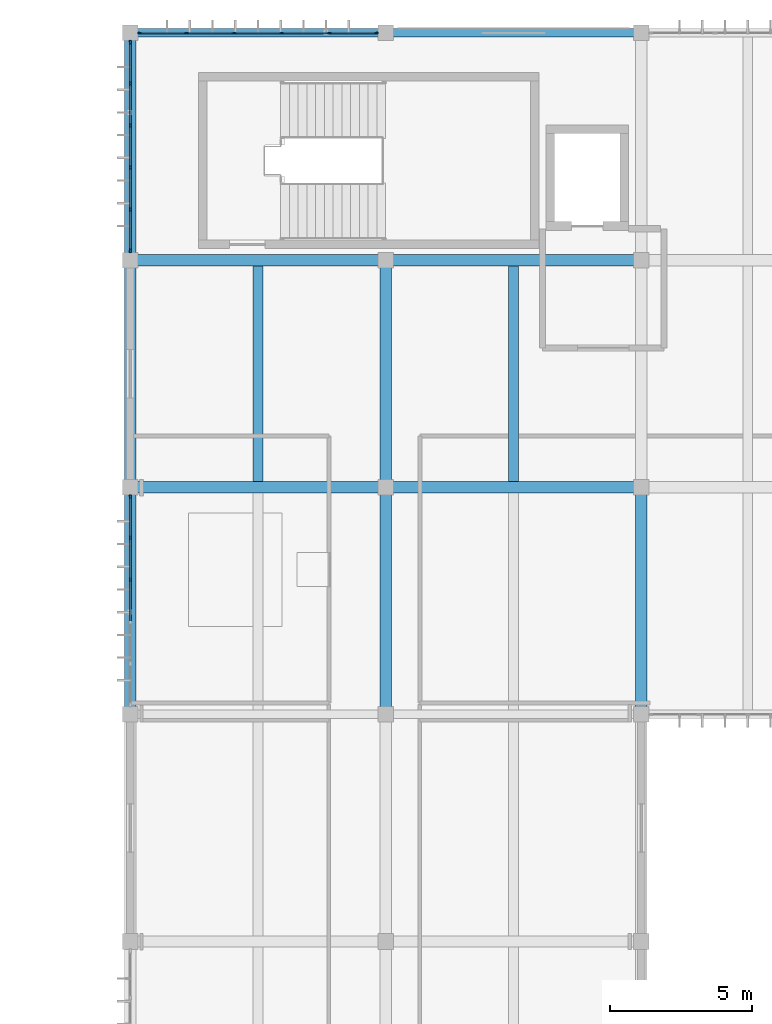
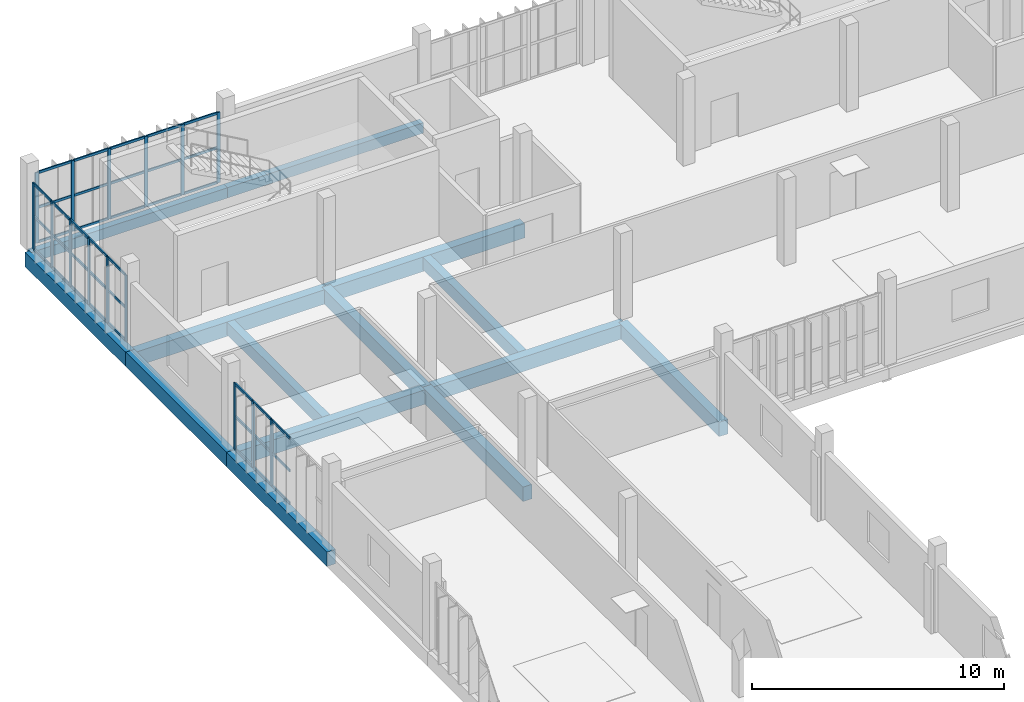
# One storey, part 11 of 61: 54 members, 14 beams, 3 elements without a shape of their own.
"""IFC4 building model written with IfcOpenShell, lengths in metres."""

import ifcopenshell
import ifcopenshell.guid

model = None  # the IFC model being written
_history = None  # IfcOwnerHistory: only IFC2X3 demands one
_inside = {}  # id of a spatial element -> (the spatial element, [elements in it])
_under = {}  # id of a project, library or spatial element -> (it, [spatial elements below it])
_declared = {}  # id of a project -> (the project, [libraries it declares])
_typed = {}  # id of a type object -> (the type object, [elements of that type])
_made_of = {}  # id of a material, layer set ... -> (it, [elements and type objects made of it])


def new_model(schema):
    """Start an empty IFC model of exactly this schema.

    Asked for "IFC4X3", IfcOpenShell would pick the latest addendum, in which some entities
    have other attributes; the version numbers below select the first issue.
    IFC2X3 requires an IfcOwnerHistory on every rooted entity: one is made here for all.
    """
    global model, _history
    if schema == "IFC4X3":
        model = ifcopenshell.file(schema_version=(4, 3, 0, 0))
    else:
        model = ifcopenshell.file(schema=schema)
    _inside.clear()
    _under.clear()
    _declared.clear()
    _typed.clear()
    _made_of.clear()
    _history = None
    if model.schema == "IFC2X3":
        org = make("IfcOrganization", Name="unknown")
        user = make(
            "IfcPersonAndOrganization",
            ThePerson=make("IfcPerson", FamilyName="unknown"),
            TheOrganization=org,
        )
        app = make(
            "IfcApplication",
            ApplicationDeveloper=org,
            Version="unknown",
            ApplicationFullName="unknown",
            ApplicationIdentifier="unknown",
        )
        _history = make(
            "IfcOwnerHistory",
            OwningUser=user,
            OwningApplication=app,
            ChangeAction="ADDED",
            CreationDate=0,
        )
    return model


def make(cls, **values):
    """One entity of the class cls with the attributes given. An attribute that is None is left unset."""
    return model.create_entity(
        cls, **{name: value for name, value in values.items() if value is not None}
    )


def rooted(cls, **values):
    """An entity with a GlobalId (a new one), such as an element, a storey or a relation."""
    return make(cls, GlobalId=ifcopenshell.guid.new(), OwnerHistory=_history, **values)


def si_unit(unit_type, name, prefix=None):
    """IfcSIUnit, for example si_unit("LENGTHUNIT", "METRE", prefix="MILLI")."""
    return make("IfcSIUnit", UnitType=unit_type, Prefix=prefix, Name=name)


def assignment(units):
    """IfcUnitAssignment: the units of a project."""
    return None if units is None else make("IfcUnitAssignment", Units=units)


def point(xyz):
    """IfcCartesianPoint."""
    return None if xyz is None else make("IfcCartesianPoint", Coordinates=xyz)


def direction(xyz):
    """IfcDirection."""
    return None if xyz is None else make("IfcDirection", DirectionRatios=xyz)


def frame(location, z_axis=None, x_axis=None):
    """IfcAxis2Placement3D, a coordinate frame: its origin and axes. An axis left out is left unset."""
    return make(
        "IfcAxis2Placement3D",
        Location=point(location),
        Axis=direction(z_axis),
        RefDirection=direction(x_axis),
    )


def frame_2d(location, x_axis=None):
    """IfcAxis2Placement2D, a coordinate frame in the plane: its origin and x axis."""
    return make(
        "IfcAxis2Placement2D", Location=point(location), RefDirection=direction(x_axis)
    )


def origin():
    """The frame at (0, 0, 0) with its axes left unset."""
    return frame((0.0, 0.0, 0.0))


def origin_2d():
    """The frame at (0, 0) in the plane with its x axis left unset."""
    return frame_2d((0.0, 0.0))


def place(relative_to, where):
    """IfcLocalPlacement: puts the frame where relative to a parent placement (None: the world)."""
    return make(
        "IfcLocalPlacement", PlacementRelTo=relative_to, RelativePlacement=where
    )


def context(
    kind, dimensions, precision=None, world=None, true_north=None, identifier=None
):
    """IfcGeometricRepresentationContext, for example the 3D "Model" context."""
    return make(
        "IfcGeometricRepresentationContext",
        ContextIdentifier=identifier,
        ContextType=kind,
        CoordinateSpaceDimension=dimensions,
        Precision=precision,
        WorldCoordinateSystem=world,
        TrueNorth=true_north,
    )


def subcontext(parent, identifier, kind, view, scale=None):
    """IfcGeometricRepresentationSubContext, for example "Body" below "Model"."""
    return make(
        "IfcGeometricRepresentationSubContext",
        ContextIdentifier=identifier,
        ContextType=kind,
        ParentContext=parent,
        TargetScale=scale,
        TargetView=view,
    )


def project(units=None, contexts=None):
    """IfcProject with its units and contexts."""
    return rooted(
        "IfcProject",
        Name="project",
        RepresentationContexts=contexts,
        UnitsInContext=assignment(units),
    )


def spatial(cls, under=None, at=None, **own):
    """A site, building, storey or space (cls), placed at a placement, below another one or the project."""
    s = rooted(cls, ObjectPlacement=at, **own)
    if under is not None:
        _under.setdefault(under.id(), (under, []))[1].append(s)
    return s


def profile(cls, at=None, kind="AREA", **sizes):
    """A parametric profile (cls). Its sizes go by their IFC names, for example OverallWidth=200.0."""
    return make(cls, ProfileType=kind, Position=at, **sizes)


def rectangle(**sizes):
    """IfcRectangleProfileDef."""
    return profile("IfcRectangleProfileDef", **sizes)


def extrude(swept, where, along, depth):
    """IfcExtrudedAreaSolid: the profile swept, set in the frame where, extruded along a direction by depth."""
    return make(
        "IfcExtrudedAreaSolid",
        SweptArea=swept,
        Position=where,
        ExtrudedDirection=direction(along),
        Depth=depth,
    )


def shape(context_of_items, identifier, shape_type, items):
    """IfcShapeRepresentation: the items that make up one representation, for example the "Body"."""
    return make(
        "IfcShapeRepresentation",
        ContextOfItems=context_of_items,
        RepresentationIdentifier=identifier,
        RepresentationType=shape_type,
        Items=items,
    )


def material(Name=None, Category=None):
    """IfcMaterial."""
    return make("IfcMaterial", Name=Name, Category=Category)


def material_profile(
    of_material, cross_section, Name=None, Category=None, Priority=None
):
    """IfcMaterialProfile: a cross section and its material."""
    return make(
        "IfcMaterialProfile",
        Name=Name,
        Material=of_material,
        Profile=cross_section,
        Priority=Priority,
        Category=Category,
    )


def profile_set(profiles, Name=None, composite=None):
    """IfcMaterialProfileSet."""
    return make(
        "IfcMaterialProfileSet",
        Name=Name,
        MaterialProfiles=profiles,
        CompositeProfile=composite,
    )


def made_of(thing, what):
    """Note that an element or type object is made of a material, layer set ...; save() writes the relation."""
    if what is not None:
        _made_of.setdefault(what.id(), (what, []))[1].append(thing)
    return thing


def type_object(cls, material=None, **own):
    """A type object (cls), such as IfcWallType, which elements share."""
    return made_of(rooted(cls, **own), material)


def element(
    cls,
    number,
    at=None,
    inside=None,
    cuts=None,
    type_object=None,
    material=None,
    context=None,
    identifier="Body",
    shape_type=None,
    held_by="IfcProductDefinitionShape",
    body=None,
    shapes=None,
    **own,
):
    """One element of the class cls, such as IfcWall. Its Tag is "e" and its number.

    at: its placement. inside: the storey or other place that contains it. cuts: it is an
    opening in that element (IfcRelVoidsElement). A single representation is given by context,
    identifier, shape_type and body (its items); several are given by shapes. held_by: the class
    of the entity that holds the representations. save() writes the other relations.
    """
    e = rooted(cls, Tag="e%d" % number, ObjectPlacement=at, **own)
    if body is not None:
        shapes = [shape(context, identifier, shape_type, body)]
    if shapes is not None:
        e.Representation = make(held_by, Representations=shapes)
    if inside is not None:
        _inside.setdefault(inside.id(), (inside, []))[1].append(e)
    if cuts is not None:
        rooted(
            "IfcRelVoidsElement", RelatingBuildingElement=cuts, RelatedOpeningElement=e
        )
    if type_object is not None:
        _typed.setdefault(type_object.id(), (type_object, []))[1].append(e)
    return made_of(e, material)


def aggregate(whole, parts):
    """IfcRelAggregates: a whole, such as a stair, and the parts it consists of."""
    return rooted("IfcRelAggregates", RelatingObject=whole, RelatedObjects=parts)


def save(model, path):
    """Write the relations noted so far, then the file.

    IfcRelAggregates (storeys below a building ...), IfcRelContainedInSpatialStructure (elements
    in a storey), IfcRelDefinesByType, IfcRelAssociatesMaterial and IfcRelDeclares: one each for
    every whole, place, type object, material and project.
    """
    for whole, parts in _under.values():
        aggregate(whole, parts)
    for where, things in _inside.values():
        rooted(
            "IfcRelContainedInSpatialStructure",
            RelatedElements=things,
            RelatingStructure=where,
        )
    for kind, things in _typed.values():
        rooted("IfcRelDefinesByType", RelatedObjects=things, RelatingType=kind)
    for what, things in _made_of.values():
        rooted("IfcRelAssociatesMaterial", RelatedObjects=things, RelatingMaterial=what)
    for by, libraries in _declared.values():
        rooted("IfcRelDeclares", RelatingContext=by, RelatedDefinitions=libraries)
    model.write(path)


model = new_model("IFC4")

# Units and contexts
model_context = context("Model", 3, precision=1e-05, world=origin(), true_north=direction((0.0, 1.0)))
body_context = subcontext(model_context, "Body", "Model", "MODEL_VIEW")
ifc_project = project(units=[si_unit("LENGTHUNIT", "METRE"), si_unit("AREAUNIT", "SQUARE_METRE"), si_unit("VOLUMEUNIT", "CUBIC_METRE"), si_unit("PLANEANGLEUNIT", "RADIAN"), si_unit("MASSUNIT", "GRAM", prefix="KILO")], contexts=[model_context])

# Site, building, storey
site_placement = place(None, origin())
site = spatial("IfcSite", under=ifc_project, at=site_placement, CompositionType="ELEMENT")
building_placement = place(site_placement, origin())
building = spatial("IfcBuilding", under=site, at=building_placement, Name="Vourika Railside Aquatics Centre", CompositionType="ELEMENT")
storey_placement = place(building_placement, frame((0.0, 0.0, 9.300048828125)))
storey = spatial("IfcBuildingStorey", under=building, at=storey_placement, Name="L02", CompositionType="ELEMENT", Elevation=9.300048828125)

# Beams
ifc_material_1 = material(Name="Concrete C35/45", Category="concrete")
ifc_material_profile_1 = material_profile(ifc_material_1, rectangle(XDim=0.39990234375, YDim=0.699951171875, at=origin_2d()), Name="RC 400x700")
ifc_profile_set_1 = profile_set([ifc_material_profile_1], Name="Concrete C35/45")
beam_type_1 = type_object("IfcBeamType", Name="BM-GIRD-400x700", PredefinedType="BEAM", material=ifc_profile_set_1)
for number, where, z_axis, x_axis, name in (
    (1, (18.0, 100.0, -0.630126953125), (1.0, 0.0, 0.0), (0.0, 1.0, 0.0), "Floor Beam GX-L02-103"),
    (2, (27.0, 100.0, -0.630126953125), (1.0, 0.0, 0.0), (0.0, 1.0, 0.0), "Floor Beam GX-L02-104"),
    (3, (18.0, 108.0, -0.630126953125), (1.0, 0.0, 0.0), (0.0, 1.0, 0.0), "Floor Beam GX-L02-118"),
    (4, (27.0, 108.0, -0.630126953125), (1.0, 0.0, 0.0), (0.0, 1.0, 0.0), "Floor Beam GX-L02-119"),
):
    element("IfcBeam", number, at=place(storey_placement, frame(where, z_axis=z_axis, x_axis=x_axis)), inside=storey, type_object=beam_type_1, Name=name, PredefinedType="BEAM", context=body_context, shape_type="SweptSolid", body=[
        extrude(rectangle(XDim=0.39990234375, YDim=0.699951171875, at=origin_2d()), origin(), (0.0, 0.0, 1.0), 9.0),
    ])
for number, where, z_axis, x_axis, name in (
    (5, (18.0, 92.0, -0.630126953125), (0.0, 1.0, 0.0), (-1.0, 0.0, 0.0), "Floor Girder GY-L02-157"),
    (6, (18.0, 100.0, -0.630126953125), (0.0, 1.0, 0.0), (-1.0, 0.0, 0.0), "Floor Girder GY-L02-158"),
    (7, (18.0, 108.0, -0.630126953125), (0.0, 1.0, 0.0), (-1.0, 0.0, 0.0), "Floor Girder GY-L02-159"),
    (8, (27.0, 92.0, -0.630126953125), (0.0, 1.0, 0.0), (-1.0, 0.0, 0.0), "Floor Girder GY-L02-165"),
    (9, (27.0, 100.0, -0.630126953125), (0.0, 1.0, 0.0), (-1.0, 0.0, 0.0), "Floor Girder GY-L02-166"),
    (10, (36.0, 92.0, -0.630126953125), (0.0, 1.0, 0.0), (-1.0, 0.0, 0.0), "Floor Girder GY-L02-178"),
):
    element("IfcBeam", number, at=place(storey_placement, frame(where, z_axis=z_axis, x_axis=x_axis)), inside=storey, type_object=beam_type_1, Name=name, PredefinedType="BEAM", context=body_context, shape_type="SweptSolid", body=[
        extrude(rectangle(XDim=0.39990234375, YDim=0.699951171875, at=origin_2d()), origin(), (0.0, 0.0, 1.0), 8.0),
    ])
ifc_material_profile_2 = material_profile(ifc_material_1, rectangle(XDim=0.35009765625, YDim=0.60009765625, at=origin_2d()), Name="RC 350x600")
ifc_profile_set_2 = profile_set([ifc_material_profile_2], Name="Concrete C35/45")
beam_type_2 = type_object("IfcBeamType", Name="BM-SEC-350x600", PredefinedType="JOIST", material=ifc_profile_set_2)
for number, where, z_axis, x_axis, name in (
    (11, (22.5, 100.199951171875, -0.580078125), (0.0, 1.0, 0.0), (-1.0, 0.0, 0.0), "Secondary Joist JY-L02-349"),
    (12, (31.5, 100.199951171875, -0.580078125), (0.0, 1.0, 0.0), (-1.0, 0.0, 0.0), "Secondary Joist JY-L02-350"),
):
    element("IfcBeam", number, at=place(storey_placement, frame(where, z_axis=z_axis, x_axis=x_axis)), inside=storey, type_object=beam_type_2, Name=name, PredefinedType="JOIST", context=body_context, shape_type="SweptSolid", body=[
        extrude(rectangle(XDim=0.35009765625, YDim=0.60009765625, at=origin_2d()), origin(), (0.0, 0.0, 1.0), 7.60009765625),
    ])
ifc_material_profile_3 = material_profile(ifc_material_1, rectangle(XDim=0.300048828125, YDim=0.5, at=origin_2d()), Name="RC 300x500")
ifc_profile_set_3 = profile_set([ifc_material_profile_3], Name="Concrete C35/45")
beam_type_3 = type_object("IfcBeamType", Name="BM-SPAN-300x500", PredefinedType="SPANDREL", material=ifc_profile_set_3)
for number, where, z_axis, x_axis, name in (
    (13, (18.0, 116.0, -0.530029296875), (1.0, 0.0, 0.0), (0.0, 1.0, 0.0), "Floor Beam GX-L02-133"),
    (14, (27.0, 116.0, -0.530029296875), (1.0, 0.0, 0.0), (0.0, 1.0, 0.0), "Floor Beam GX-L02-134"),
):
    element("IfcBeam", number, at=place(storey_placement, frame(where, z_axis=z_axis, x_axis=x_axis)), inside=storey, type_object=beam_type_3, Name=name, PredefinedType="SPANDREL", context=body_context, shape_type="SweptSolid", body=[
        extrude(rectangle(XDim=0.300048828125, YDim=0.5, at=origin_2d()), origin(), (0.0, 0.0, 1.0), 9.0),
    ])

# Curtain wall, members
ifc_material_2 = material(Name="Anodized thermally broken aluminium", Category="aluminium")
curtain_wall_type = type_object("IfcCurtainWallType", Name="CW-FIT2", PredefinedType="NOTDEFINED", material=ifc_material_2)
curtain_wall_1_placement = place(storey_placement, origin())
curtain_wall_1 = element("IfcCurtainWall", 15, at=curtain_wall_1_placement, inside=storey, type_object=curtain_wall_type, Name="North Boulevard Curtain Wall L02-1", PredefinedType="NOTDEFINED")
ifc_material_3 = material(Name="Anodized aluminium mullion", Category="aluminium")
ifc_material_profile_4 = material_profile(ifc_material_3, rectangle(XDim=0.06005859375, YDim=0.14990234375, at=origin_2d()), Name="ALU-M 60x150")
ifc_profile_set_4 = profile_set([ifc_material_profile_4], Name="Anodized aluminium mullion")
member_type_1 = type_object("IfcMemberType", Name="CWM-FIT2", PredefinedType="MULLION", material=ifc_profile_set_4)
member_1_placement = place(storey_placement, frame((26.6650390625, 116.0, 0.0), z_axis=(0.0, 0.0, 1.0), x_axis=(0.0, -1.0, 0.0)))
member_1 = element("IfcMember", 16, at=member_1_placement, type_object=member_type_1, Name="CW16 mullion 1", PredefinedType="MULLION", context=body_context, shape_type="SweptSolid", body=[
    extrude(rectangle(XDim=0.06005859375, YDim=0.14990234375, at=origin_2d()), origin(), (0.0, 0.0, 1.0), 3.419921875),
])
member_2_placement = place(storey_placement, frame((25.01708984375, 116.0, 0.0), z_axis=(0.0, 0.0, 1.0), x_axis=(0.0, -1.0, 0.0)))
member_2 = element("IfcMember", 17, at=member_2_placement, type_object=member_type_1, Name="CW16 mullion 2", PredefinedType="MULLION", context=body_context, shape_type="SweptSolid", body=[
    extrude(rectangle(XDim=0.06005859375, YDim=0.14990234375, at=origin_2d()), origin(), (0.0, 0.0, 1.0), 3.419921875),
])
member_3_placement = place(storey_placement, frame((23.339111328125, 116.0, 0.0), z_axis=(0.0, 0.0, 1.0), x_axis=(0.0, -1.0, 0.0)))
member_3 = element("IfcMember", 18, at=member_3_placement, type_object=member_type_1, Name="CW16 mullion 3", PredefinedType="MULLION", context=body_context, shape_type="SweptSolid", body=[
    extrude(rectangle(XDim=0.06005859375, YDim=0.14990234375, at=origin_2d()), origin(), (0.0, 0.0, 1.0), 3.419921875),
])
member_4_placement = place(storey_placement, frame((21.660888671875, 116.0, 0.0), z_axis=(0.0, 0.0, 1.0), x_axis=(0.0, -1.0, 0.0)))
member_4 = element("IfcMember", 19, at=member_4_placement, type_object=member_type_1, Name="CW16 mullion 4", PredefinedType="MULLION", context=body_context, shape_type="SweptSolid", body=[
    extrude(rectangle(XDim=0.06005859375, YDim=0.14990234375, at=origin_2d()), origin(), (0.0, 0.0, 1.0), 3.419921875),
])
member_5_placement = place(storey_placement, frame((19.98291015625, 116.0, 0.0), z_axis=(0.0, 0.0, 1.0), x_axis=(0.0, -1.0, 0.0)))
member_5 = element("IfcMember", 20, at=member_5_placement, type_object=member_type_1, Name="CW16 mullion 5", PredefinedType="MULLION", context=body_context, shape_type="SweptSolid", body=[
    extrude(rectangle(XDim=0.06005859375, YDim=0.14990234375, at=origin_2d()), origin(), (0.0, 0.0, 1.0), 3.419921875),
])
member_6_placement = place(storey_placement, frame((18.3349609375, 116.0, 0.0), z_axis=(0.0, 0.0, 1.0), x_axis=(0.0, -1.0, 0.0)))
member_6 = element("IfcMember", 21, at=member_6_placement, type_object=member_type_1, Name="CW16 mullion 6", PredefinedType="MULLION", context=body_context, shape_type="SweptSolid", body=[
    extrude(rectangle(XDim=0.06005859375, YDim=0.14990234375, at=origin_2d()), origin(), (0.0, 0.0, 1.0), 3.419921875),
])

curtain_wall_2_placement = place(storey_placement, origin())
curtain_wall_2 = element("IfcCurtainWall", 22, at=curtain_wall_2_placement, inside=storey, type_object=curtain_wall_type, Name="Fitness West Boulevard Curtain Wall L02-5", PredefinedType="NOTDEFINED")
member_7_placement = place(storey_placement, frame((18.0, 99.6650390625, 0.0), z_axis=(0.0, 0.0, 1.0), x_axis=(1.0, 0.0, 0.0)))
member_7 = element("IfcMember", 23, at=member_7_placement, type_object=member_type_1, Name="CW16 mullion 1", PredefinedType="MULLION", context=body_context, shape_type="SweptSolid", body=[
    extrude(rectangle(XDim=0.06005859375, YDim=0.14990234375, at=origin_2d()), origin(), (0.0, 0.0, 1.0), 3.219970703125),
])
member_8_placement = place(storey_placement, frame((18.0, 98.217041015625, 0.0), z_axis=(0.0, 0.0, 1.0), x_axis=(1.0, 0.0, 0.0)))
member_8 = element("IfcMember", 24, at=member_8_placement, type_object=member_type_1, Name="CW16 mullion 2", PredefinedType="MULLION", context=body_context, shape_type="SweptSolid", body=[
    extrude(rectangle(XDim=0.06005859375, YDim=0.14990234375, at=origin_2d()), origin(), (0.0, 0.0, 1.0), 3.219970703125),
])
member_9_placement = place(storey_placement, frame((18.0, 96.739013671875, 0.0), z_axis=(0.0, 0.0, 1.0), x_axis=(1.0, 0.0, 0.0)))
member_9 = element("IfcMember", 25, at=member_9_placement, type_object=member_type_1, Name="CW16 mullion 3", PredefinedType="MULLION", context=body_context, shape_type="SweptSolid", body=[
    extrude(rectangle(XDim=0.06005859375, YDim=0.14990234375, at=origin_2d()), origin(), (0.0, 0.0, 1.0), 3.219970703125),
])

curtain_wall_3_placement = place(storey_placement, origin())
curtain_wall_3 = element("IfcCurtainWall", 26, at=curtain_wall_3_placement, inside=storey, type_object=curtain_wall_type, Name="Fitness West Boulevard Curtain Wall L02-7", PredefinedType="NOTDEFINED")
member_10_placement = place(storey_placement, frame((18.0, 115.6650390625, 0.0), z_axis=(0.0, 0.0, 1.0), x_axis=(1.0, 0.0, 0.0)))
member_10 = element("IfcMember", 27, at=member_10_placement, type_object=member_type_1, Name="CW16 mullion 1", PredefinedType="MULLION", context=body_context, shape_type="SweptSolid", body=[
    extrude(rectangle(XDim=0.06005859375, YDim=0.14990234375, at=origin_2d()), origin(), (0.0, 0.0, 1.0), 3.219970703125),
])
member_11_placement = place(storey_placement, frame((18.0, 114.217041015625, 0.0), z_axis=(0.0, 0.0, 1.0), x_axis=(1.0, 0.0, 0.0)))
member_11 = element("IfcMember", 28, at=member_11_placement, type_object=member_type_1, Name="CW16 mullion 2", PredefinedType="MULLION", context=body_context, shape_type="SweptSolid", body=[
    extrude(rectangle(XDim=0.06005859375, YDim=0.14990234375, at=origin_2d()), origin(), (0.0, 0.0, 1.0), 3.219970703125),
])
member_12_placement = place(storey_placement, frame((18.0, 112.739013671875, 0.0), z_axis=(0.0, 0.0, 1.0), x_axis=(1.0, 0.0, 0.0)))
member_12 = element("IfcMember", 29, at=member_12_placement, type_object=member_type_1, Name="CW16 mullion 3", PredefinedType="MULLION", context=body_context, shape_type="SweptSolid", body=[
    extrude(rectangle(XDim=0.06005859375, YDim=0.14990234375, at=origin_2d()), origin(), (0.0, 0.0, 1.0), 3.219970703125),
])
member_13_placement = place(storey_placement, frame((18.0, 111.260986328125, 0.0), z_axis=(0.0, 0.0, 1.0), x_axis=(1.0, 0.0, 0.0)))
member_13 = element("IfcMember", 30, at=member_13_placement, type_object=member_type_1, Name="CW16 mullion 4", PredefinedType="MULLION", context=body_context, shape_type="SweptSolid", body=[
    extrude(rectangle(XDim=0.06005859375, YDim=0.14990234375, at=origin_2d()), origin(), (0.0, 0.0, 1.0), 3.219970703125),
])
member_14_placement = place(storey_placement, frame((18.0, 109.782958984375, 0.0), z_axis=(0.0, 0.0, 1.0), x_axis=(1.0, 0.0, 0.0)))
member_14 = element("IfcMember", 31, at=member_14_placement, type_object=member_type_1, Name="CW16 mullion 5", PredefinedType="MULLION", context=body_context, shape_type="SweptSolid", body=[
    extrude(rectangle(XDim=0.06005859375, YDim=0.14990234375, at=origin_2d()), origin(), (0.0, 0.0, 1.0), 3.219970703125),
])
member_15_placement = place(storey_placement, frame((18.0, 108.3349609375, 0.0), z_axis=(0.0, 0.0, 1.0), x_axis=(1.0, 0.0, 0.0)))
member_15 = element("IfcMember", 32, at=member_15_placement, type_object=member_type_1, Name="CW16 mullion 6", PredefinedType="MULLION", context=body_context, shape_type="SweptSolid", body=[
    extrude(rectangle(XDim=0.06005859375, YDim=0.14990234375, at=origin_2d()), origin(), (0.0, 0.0, 1.0), 3.219970703125),
])

# Member
ifc_material_4 = material(Name="Anodized aluminium transom", Category="aluminium")
ifc_material_profile_5 = material_profile(ifc_material_4, rectangle(XDim=0.06005859375, YDim=0.117919921875, at=origin_2d()), Name="ALU-T 60x118")
ifc_profile_set_5 = profile_set([ifc_material_profile_5], Name="Anodized aluminium transom")
member_type_2 = type_object("IfcMemberType", Name="CWT-FIT2", PredefinedType="USERDEFINED", material=ifc_profile_set_5)
member_16_placement = place(storey_placement, frame((26.635009765625, 116.0, 0.030029296875), z_axis=(-1.0, 0.0, 0.0), x_axis=(0.0, -1.0, 0.0)))
member_16 = element("IfcMember", 33, at=member_16_placement, type_object=member_type_2, Name="CW16 transom 1.1", ObjectType="TRANSOM", PredefinedType="USERDEFINED", context=body_context, shape_type="SweptSolid", body=[
    extrude(rectangle(XDim=0.06005859375, YDim=0.117919921875, at=origin_2d()), origin(), (0.0, 0.0, 1.0), 1.587890625),
])

member_17_placement = place(storey_placement, frame((26.635009765625, 116.0, 1.7099609375), z_axis=(-1.0, 0.0, 0.0), x_axis=(0.0, -1.0, 0.0)))
member_17 = element("IfcMember", 34, at=member_17_placement, type_object=member_type_2, Name="CW16 transom 1.2", ObjectType="TRANSOM", PredefinedType="USERDEFINED", context=body_context, shape_type="SweptSolid", body=[
    extrude(rectangle(XDim=0.06005859375, YDim=0.117919921875, at=origin_2d()), origin(), (0.0, 0.0, 1.0), 1.587890625),
])

member_18_placement = place(storey_placement, frame((26.635009765625, 116.0, 3.389892578125), z_axis=(-1.0, 0.0, 0.0), x_axis=(0.0, -1.0, 0.0)))
member_18 = element("IfcMember", 35, at=member_18_placement, type_object=member_type_2, Name="CW16 transom 1.3", ObjectType="TRANSOM", PredefinedType="USERDEFINED", context=body_context, shape_type="SweptSolid", body=[
    extrude(rectangle(XDim=0.06005859375, YDim=0.117919921875, at=origin_2d()), origin(), (0.0, 0.0, 1.0), 1.587890625),
])

member_19_placement = place(storey_placement, frame((24.987060546875, 116.0, 0.030029296875), z_axis=(-1.0, 0.0, 0.0), x_axis=(0.0, -1.0, 0.0)))
member_19 = element("IfcMember", 36, at=member_19_placement, type_object=member_type_2, Name="CW16 transom 2.1", ObjectType="TRANSOM", PredefinedType="USERDEFINED", context=body_context, shape_type="SweptSolid", body=[
    extrude(rectangle(XDim=0.06005859375, YDim=0.117919921875, at=origin_2d()), origin(), (0.0, 0.0, 1.0), 1.6181640625),
])

member_20_placement = place(storey_placement, frame((24.987060546875, 116.0, 1.7099609375), z_axis=(-1.0, 0.0, 0.0), x_axis=(0.0, -1.0, 0.0)))
member_20 = element("IfcMember", 37, at=member_20_placement, type_object=member_type_2, Name="CW16 transom 2.2", ObjectType="TRANSOM", PredefinedType="USERDEFINED", context=body_context, shape_type="SweptSolid", body=[
    extrude(rectangle(XDim=0.06005859375, YDim=0.117919921875, at=origin_2d()), origin(), (0.0, 0.0, 1.0), 1.6181640625),
])

member_21_placement = place(storey_placement, frame((24.987060546875, 116.0, 3.389892578125), z_axis=(-1.0, 0.0, 0.0), x_axis=(0.0, -1.0, 0.0)))
member_21 = element("IfcMember", 38, at=member_21_placement, type_object=member_type_2, Name="CW16 transom 2.3", ObjectType="TRANSOM", PredefinedType="USERDEFINED", context=body_context, shape_type="SweptSolid", body=[
    extrude(rectangle(XDim=0.06005859375, YDim=0.117919921875, at=origin_2d()), origin(), (0.0, 0.0, 1.0), 1.6181640625),
])

member_22_placement = place(storey_placement, frame((23.30908203125, 116.0, 0.030029296875), z_axis=(-1.0, 0.0, 0.0), x_axis=(0.0, -1.0, 0.0)))
member_22 = element("IfcMember", 39, at=member_22_placement, type_object=member_type_2, Name="CW16 transom 3.1", ObjectType="TRANSOM", PredefinedType="USERDEFINED", context=body_context, shape_type="SweptSolid", body=[
    extrude(rectangle(XDim=0.06005859375, YDim=0.117919921875, at=origin_2d()), origin(), (0.0, 0.0, 1.0), 1.6181640625),
])

member_23_placement = place(storey_placement, frame((23.30908203125, 116.0, 1.7099609375), z_axis=(-1.0, 0.0, 0.0), x_axis=(0.0, -1.0, 0.0)))
member_23 = element("IfcMember", 40, at=member_23_placement, type_object=member_type_2, Name="CW16 transom 3.2", ObjectType="TRANSOM", PredefinedType="USERDEFINED", context=body_context, shape_type="SweptSolid", body=[
    extrude(rectangle(XDim=0.06005859375, YDim=0.117919921875, at=origin_2d()), origin(), (0.0, 0.0, 1.0), 1.6181640625),
])

member_24_placement = place(storey_placement, frame((23.30908203125, 116.0, 3.389892578125), z_axis=(-1.0, 0.0, 0.0), x_axis=(0.0, -1.0, 0.0)))
member_24 = element("IfcMember", 41, at=member_24_placement, type_object=member_type_2, Name="CW16 transom 3.3", ObjectType="TRANSOM", PredefinedType="USERDEFINED", context=body_context, shape_type="SweptSolid", body=[
    extrude(rectangle(XDim=0.06005859375, YDim=0.117919921875, at=origin_2d()), origin(), (0.0, 0.0, 1.0), 1.6181640625),
])

member_25_placement = place(storey_placement, frame((21.631103515625, 116.0, 0.030029296875), z_axis=(-1.0, 0.0, 0.0), x_axis=(0.0, -1.0, 0.0)))
member_25 = element("IfcMember", 42, at=member_25_placement, type_object=member_type_2, Name="CW16 transom 4.1", ObjectType="TRANSOM", PredefinedType="USERDEFINED", context=body_context, shape_type="SweptSolid", body=[
    extrude(rectangle(XDim=0.06005859375, YDim=0.117919921875, at=origin_2d()), origin(), (0.0, 0.0, 1.0), 1.6181640625),
])

member_26_placement = place(storey_placement, frame((21.631103515625, 116.0, 1.7099609375), z_axis=(-1.0, 0.0, 0.0), x_axis=(0.0, -1.0, 0.0)))
member_26 = element("IfcMember", 43, at=member_26_placement, type_object=member_type_2, Name="CW16 transom 4.2", ObjectType="TRANSOM", PredefinedType="USERDEFINED", context=body_context, shape_type="SweptSolid", body=[
    extrude(rectangle(XDim=0.06005859375, YDim=0.117919921875, at=origin_2d()), origin(), (0.0, 0.0, 1.0), 1.6181640625),
])

member_27_placement = place(storey_placement, frame((21.631103515625, 116.0, 3.389892578125), z_axis=(-1.0, 0.0, 0.0), x_axis=(0.0, -1.0, 0.0)))
member_27 = element("IfcMember", 44, at=member_27_placement, type_object=member_type_2, Name="CW16 transom 4.3", ObjectType="TRANSOM", PredefinedType="USERDEFINED", context=body_context, shape_type="SweptSolid", body=[
    extrude(rectangle(XDim=0.06005859375, YDim=0.117919921875, at=origin_2d()), origin(), (0.0, 0.0, 1.0), 1.6181640625),
])

member_28_placement = place(storey_placement, frame((19.952880859375, 116.0, 0.030029296875), z_axis=(-1.0, 0.0, 0.0), x_axis=(0.0, -1.0, 0.0)))
member_28 = element("IfcMember", 45, at=member_28_placement, type_object=member_type_2, Name="CW16 transom 5.1", ObjectType="TRANSOM", PredefinedType="USERDEFINED", context=body_context, shape_type="SweptSolid", body=[
    extrude(rectangle(XDim=0.06005859375, YDim=0.117919921875, at=origin_2d()), origin(), (0.0, 0.0, 1.0), 1.587890625),
])

member_29_placement = place(storey_placement, frame((19.952880859375, 116.0, 1.7099609375), z_axis=(-1.0, 0.0, 0.0), x_axis=(0.0, -1.0, 0.0)))
member_29 = element("IfcMember", 46, at=member_29_placement, type_object=member_type_2, Name="CW16 transom 5.2", ObjectType="TRANSOM", PredefinedType="USERDEFINED", context=body_context, shape_type="SweptSolid", body=[
    extrude(rectangle(XDim=0.06005859375, YDim=0.117919921875, at=origin_2d()), origin(), (0.0, 0.0, 1.0), 1.587890625),
])

member_30_placement = place(storey_placement, frame((19.952880859375, 116.0, 3.389892578125), z_axis=(-1.0, 0.0, 0.0), x_axis=(0.0, -1.0, 0.0)))
member_30 = element("IfcMember", 47, at=member_30_placement, type_object=member_type_2, Name="CW16 transom 5.3", ObjectType="TRANSOM", PredefinedType="USERDEFINED", context=body_context, shape_type="SweptSolid", body=[
    extrude(rectangle(XDim=0.06005859375, YDim=0.117919921875, at=origin_2d()), origin(), (0.0, 0.0, 1.0), 1.587890625),
])

aggregate(curtain_wall_1, [member_1, member_2, member_3, member_4, member_5, member_6, member_16, member_17, member_18, member_19, member_20, member_21, member_22, member_23, member_24, member_25, member_26, member_27, member_28, member_29, member_30])

member_31_placement = place(storey_placement, frame((18.0, 99.635009765625, 0.030029296875), z_axis=(0.0, -1.0, 0.0), x_axis=(1.0, 0.0, 0.0)))
member_31 = element("IfcMember", 48, at=member_31_placement, type_object=member_type_2, Name="CW16 transom 1.1", ObjectType="TRANSOM", PredefinedType="USERDEFINED", context=body_context, shape_type="SweptSolid", body=[
    extrude(rectangle(XDim=0.06005859375, YDim=0.117919921875, at=origin_2d()), origin(), (0.0, 0.0, 1.0), 1.387939453125),
])

member_32_placement = place(storey_placement, frame((18.0, 99.635009765625, 1.60986328125), z_axis=(0.0, -1.0, 0.0), x_axis=(1.0, 0.0, 0.0)))
member_32 = element("IfcMember", 49, at=member_32_placement, type_object=member_type_2, Name="CW16 transom 1.2", ObjectType="TRANSOM", PredefinedType="USERDEFINED", context=body_context, shape_type="SweptSolid", body=[
    extrude(rectangle(XDim=0.06005859375, YDim=0.117919921875, at=origin_2d()), origin(), (0.0, 0.0, 1.0), 1.387939453125),
])

member_33_placement = place(storey_placement, frame((18.0, 99.635009765625, 3.18994140625), z_axis=(0.0, -1.0, 0.0), x_axis=(1.0, 0.0, 0.0)))
member_33 = element("IfcMember", 50, at=member_33_placement, type_object=member_type_2, Name="CW16 transom 1.3", ObjectType="TRANSOM", PredefinedType="USERDEFINED", context=body_context, shape_type="SweptSolid", body=[
    extrude(rectangle(XDim=0.06005859375, YDim=0.117919921875, at=origin_2d()), origin(), (0.0, 0.0, 1.0), 1.387939453125),
])

member_34_placement = place(storey_placement, frame((18.0, 98.18701171875, 0.030029296875), z_axis=(0.0, -1.0, 0.0), x_axis=(1.0, 0.0, 0.0)))
member_34 = element("IfcMember", 51, at=member_34_placement, type_object=member_type_2, Name="CW16 transom 2.1", ObjectType="TRANSOM", PredefinedType="USERDEFINED", context=body_context, shape_type="SweptSolid", body=[
    extrude(rectangle(XDim=0.06005859375, YDim=0.117919921875, at=origin_2d()), origin(), (0.0, 0.0, 1.0), 1.41796875),
])

member_35_placement = place(storey_placement, frame((18.0, 98.18701171875, 1.60986328125), z_axis=(0.0, -1.0, 0.0), x_axis=(1.0, 0.0, 0.0)))
member_35 = element("IfcMember", 52, at=member_35_placement, type_object=member_type_2, Name="CW16 transom 2.2", ObjectType="TRANSOM", PredefinedType="USERDEFINED", context=body_context, shape_type="SweptSolid", body=[
    extrude(rectangle(XDim=0.06005859375, YDim=0.117919921875, at=origin_2d()), origin(), (0.0, 0.0, 1.0), 1.41796875),
])

member_36_placement = place(storey_placement, frame((18.0, 98.18701171875, 3.18994140625), z_axis=(0.0, -1.0, 0.0), x_axis=(1.0, 0.0, 0.0)))
member_36 = element("IfcMember", 53, at=member_36_placement, type_object=member_type_2, Name="CW16 transom 2.3", ObjectType="TRANSOM", PredefinedType="USERDEFINED", context=body_context, shape_type="SweptSolid", body=[
    extrude(rectangle(XDim=0.06005859375, YDim=0.117919921875, at=origin_2d()), origin(), (0.0, 0.0, 1.0), 1.41796875),
])

member_37_placement = place(storey_placement, frame((18.0, 96.708984375, 0.030029296875), z_axis=(0.0, -1.0, 0.0), x_axis=(1.0, 0.0, 0.0)))
member_37 = element("IfcMember", 54, at=member_37_placement, type_object=member_type_2, Name="CW16 transom 3.1", ObjectType="TRANSOM", PredefinedType="USERDEFINED", context=body_context, shape_type="SweptSolid", body=[
    extrude(rectangle(XDim=0.06005859375, YDim=0.117919921875, at=origin_2d()), origin(), (0.0, 0.0, 1.0), 1.41796875),
])

member_38_placement = place(storey_placement, frame((18.0, 96.708984375, 1.60986328125), z_axis=(0.0, -1.0, 0.0), x_axis=(1.0, 0.0, 0.0)))
member_38 = element("IfcMember", 55, at=member_38_placement, type_object=member_type_2, Name="CW16 transom 3.2", ObjectType="TRANSOM", PredefinedType="USERDEFINED", context=body_context, shape_type="SweptSolid", body=[
    extrude(rectangle(XDim=0.06005859375, YDim=0.117919921875, at=origin_2d()), origin(), (0.0, 0.0, 1.0), 1.41796875),
])

member_39_placement = place(storey_placement, frame((18.0, 96.708984375, 3.18994140625), z_axis=(0.0, -1.0, 0.0), x_axis=(1.0, 0.0, 0.0)))
member_39 = element("IfcMember", 56, at=member_39_placement, type_object=member_type_2, Name="CW16 transom 3.3", ObjectType="TRANSOM", PredefinedType="USERDEFINED", context=body_context, shape_type="SweptSolid", body=[
    extrude(rectangle(XDim=0.06005859375, YDim=0.117919921875, at=origin_2d()), origin(), (0.0, 0.0, 1.0), 1.41796875),
])

aggregate(curtain_wall_2, [member_7, member_8, member_9, member_31, member_32, member_33, member_34, member_35, member_36, member_37, member_38, member_39])

member_40_placement = place(storey_placement, frame((18.0, 115.635009765625, 0.030029296875), z_axis=(0.0, -1.0, 0.0), x_axis=(1.0, 0.0, 0.0)))
member_40 = element("IfcMember", 57, at=member_40_placement, type_object=member_type_2, Name="CW16 transom 1.1", ObjectType="TRANSOM", PredefinedType="USERDEFINED", context=body_context, shape_type="SweptSolid", body=[
    extrude(rectangle(XDim=0.06005859375, YDim=0.117919921875, at=origin_2d()), origin(), (0.0, 0.0, 1.0), 1.387939453125),
])

member_41_placement = place(storey_placement, frame((18.0, 115.635009765625, 1.60986328125), z_axis=(0.0, -1.0, 0.0), x_axis=(1.0, 0.0, 0.0)))
member_41 = element("IfcMember", 58, at=member_41_placement, type_object=member_type_2, Name="CW16 transom 1.2", ObjectType="TRANSOM", PredefinedType="USERDEFINED", context=body_context, shape_type="SweptSolid", body=[
    extrude(rectangle(XDim=0.06005859375, YDim=0.117919921875, at=origin_2d()), origin(), (0.0, 0.0, 1.0), 1.387939453125),
])

member_42_placement = place(storey_placement, frame((18.0, 115.635009765625, 3.18994140625), z_axis=(0.0, -1.0, 0.0), x_axis=(1.0, 0.0, 0.0)))
member_42 = element("IfcMember", 59, at=member_42_placement, type_object=member_type_2, Name="CW16 transom 1.3", ObjectType="TRANSOM", PredefinedType="USERDEFINED", context=body_context, shape_type="SweptSolid", body=[
    extrude(rectangle(XDim=0.06005859375, YDim=0.117919921875, at=origin_2d()), origin(), (0.0, 0.0, 1.0), 1.387939453125),
])

member_43_placement = place(storey_placement, frame((18.0, 114.18701171875, 0.030029296875), z_axis=(0.0, -1.0, 0.0), x_axis=(1.0, 0.0, 0.0)))
member_43 = element("IfcMember", 60, at=member_43_placement, type_object=member_type_2, Name="CW16 transom 2.1", ObjectType="TRANSOM", PredefinedType="USERDEFINED", context=body_context, shape_type="SweptSolid", body=[
    extrude(rectangle(XDim=0.06005859375, YDim=0.117919921875, at=origin_2d()), origin(), (0.0, 0.0, 1.0), 1.41796875),
])

member_44_placement = place(storey_placement, frame((18.0, 114.18701171875, 1.60986328125), z_axis=(0.0, -1.0, 0.0), x_axis=(1.0, 0.0, 0.0)))
member_44 = element("IfcMember", 61, at=member_44_placement, type_object=member_type_2, Name="CW16 transom 2.2", ObjectType="TRANSOM", PredefinedType="USERDEFINED", context=body_context, shape_type="SweptSolid", body=[
    extrude(rectangle(XDim=0.06005859375, YDim=0.117919921875, at=origin_2d()), origin(), (0.0, 0.0, 1.0), 1.41796875),
])

member_45_placement = place(storey_placement, frame((18.0, 114.18701171875, 3.18994140625), z_axis=(0.0, -1.0, 0.0), x_axis=(1.0, 0.0, 0.0)))
member_45 = element("IfcMember", 62, at=member_45_placement, type_object=member_type_2, Name="CW16 transom 2.3", ObjectType="TRANSOM", PredefinedType="USERDEFINED", context=body_context, shape_type="SweptSolid", body=[
    extrude(rectangle(XDim=0.06005859375, YDim=0.117919921875, at=origin_2d()), origin(), (0.0, 0.0, 1.0), 1.41796875),
])

member_46_placement = place(storey_placement, frame((18.0, 112.708984375, 0.030029296875), z_axis=(0.0, -1.0, 0.0), x_axis=(1.0, 0.0, 0.0)))
member_46 = element("IfcMember", 63, at=member_46_placement, type_object=member_type_2, Name="CW16 transom 3.1", ObjectType="TRANSOM", PredefinedType="USERDEFINED", context=body_context, shape_type="SweptSolid", body=[
    extrude(rectangle(XDim=0.06005859375, YDim=0.117919921875, at=origin_2d()), origin(), (0.0, 0.0, 1.0), 1.41796875),
])

member_47_placement = place(storey_placement, frame((18.0, 112.708984375, 1.60986328125), z_axis=(0.0, -1.0, 0.0), x_axis=(1.0, 0.0, 0.0)))
member_47 = element("IfcMember", 64, at=member_47_placement, type_object=member_type_2, Name="CW16 transom 3.2", ObjectType="TRANSOM", PredefinedType="USERDEFINED", context=body_context, shape_type="SweptSolid", body=[
    extrude(rectangle(XDim=0.06005859375, YDim=0.117919921875, at=origin_2d()), origin(), (0.0, 0.0, 1.0), 1.41796875),
])

member_48_placement = place(storey_placement, frame((18.0, 112.708984375, 3.18994140625), z_axis=(0.0, -1.0, 0.0), x_axis=(1.0, 0.0, 0.0)))
member_48 = element("IfcMember", 65, at=member_48_placement, type_object=member_type_2, Name="CW16 transom 3.3", ObjectType="TRANSOM", PredefinedType="USERDEFINED", context=body_context, shape_type="SweptSolid", body=[
    extrude(rectangle(XDim=0.06005859375, YDim=0.117919921875, at=origin_2d()), origin(), (0.0, 0.0, 1.0), 1.41796875),
])

member_49_placement = place(storey_placement, frame((18.0, 111.23095703125, 0.030029296875), z_axis=(0.0, -1.0, 0.0), x_axis=(1.0, 0.0, 0.0)))
member_49 = element("IfcMember", 66, at=member_49_placement, type_object=member_type_2, Name="CW16 transom 4.1", ObjectType="TRANSOM", PredefinedType="USERDEFINED", context=body_context, shape_type="SweptSolid", body=[
    extrude(rectangle(XDim=0.06005859375, YDim=0.117919921875, at=origin_2d()), origin(), (0.0, 0.0, 1.0), 1.41796875),
])

member_50_placement = place(storey_placement, frame((18.0, 111.23095703125, 1.60986328125), z_axis=(0.0, -1.0, 0.0), x_axis=(1.0, 0.0, 0.0)))
member_50 = element("IfcMember", 67, at=member_50_placement, type_object=member_type_2, Name="CW16 transom 4.2", ObjectType="TRANSOM", PredefinedType="USERDEFINED", context=body_context, shape_type="SweptSolid", body=[
    extrude(rectangle(XDim=0.06005859375, YDim=0.117919921875, at=origin_2d()), origin(), (0.0, 0.0, 1.0), 1.41796875),
])

member_51_placement = place(storey_placement, frame((18.0, 111.23095703125, 3.18994140625), z_axis=(0.0, -1.0, 0.0), x_axis=(1.0, 0.0, 0.0)))
member_51 = element("IfcMember", 68, at=member_51_placement, type_object=member_type_2, Name="CW16 transom 4.3", ObjectType="TRANSOM", PredefinedType="USERDEFINED", context=body_context, shape_type="SweptSolid", body=[
    extrude(rectangle(XDim=0.06005859375, YDim=0.117919921875, at=origin_2d()), origin(), (0.0, 0.0, 1.0), 1.41796875),
])

member_52_placement = place(storey_placement, frame((18.0, 109.7529296875, 0.030029296875), z_axis=(0.0, -1.0, 0.0), x_axis=(1.0, 0.0, 0.0)))
member_52 = element("IfcMember", 69, at=member_52_placement, type_object=member_type_2, Name="CW16 transom 5.1", ObjectType="TRANSOM", PredefinedType="USERDEFINED", context=body_context, shape_type="SweptSolid", body=[
    extrude(rectangle(XDim=0.06005859375, YDim=0.117919921875, at=origin_2d()), origin(), (0.0, 0.0, 1.0), 1.387939453125),
])

member_53_placement = place(storey_placement, frame((18.0, 109.7529296875, 1.60986328125), z_axis=(0.0, -1.0, 0.0), x_axis=(1.0, 0.0, 0.0)))
member_53 = element("IfcMember", 70, at=member_53_placement, type_object=member_type_2, Name="CW16 transom 5.2", ObjectType="TRANSOM", PredefinedType="USERDEFINED", context=body_context, shape_type="SweptSolid", body=[
    extrude(rectangle(XDim=0.06005859375, YDim=0.117919921875, at=origin_2d()), origin(), (0.0, 0.0, 1.0), 1.387939453125),
])

member_54_placement = place(storey_placement, frame((18.0, 109.7529296875, 3.18994140625), z_axis=(0.0, -1.0, 0.0), x_axis=(1.0, 0.0, 0.0)))
member_54 = element("IfcMember", 71, at=member_54_placement, type_object=member_type_2, Name="CW16 transom 5.3", ObjectType="TRANSOM", PredefinedType="USERDEFINED", context=body_context, shape_type="SweptSolid", body=[
    extrude(rectangle(XDim=0.06005859375, YDim=0.117919921875, at=origin_2d()), origin(), (0.0, 0.0, 1.0), 1.387939453125),
])

aggregate(curtain_wall_3, [member_10, member_11, member_12, member_13, member_14, member_15, member_40, member_41, member_42, member_43, member_44, member_45, member_46, member_47, member_48, member_49, member_50, member_51, member_52, member_53, member_54])

save(model, "model.ifc")
